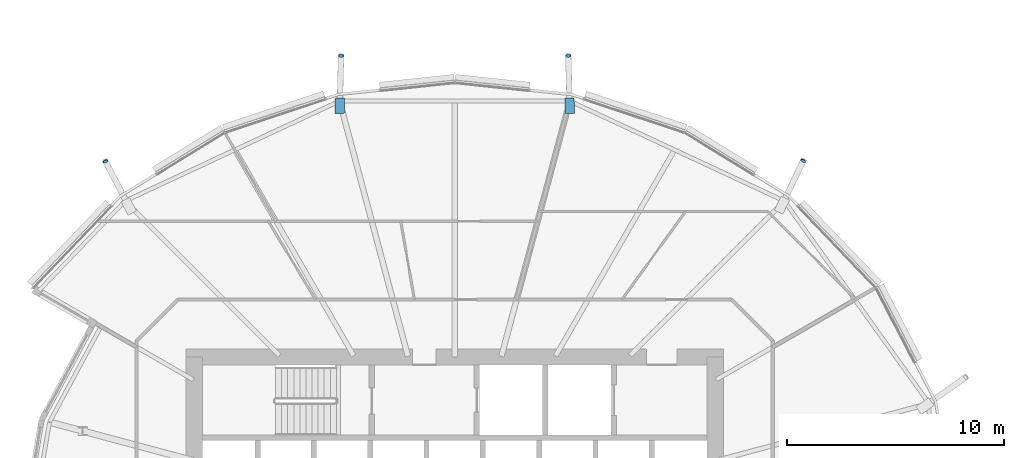
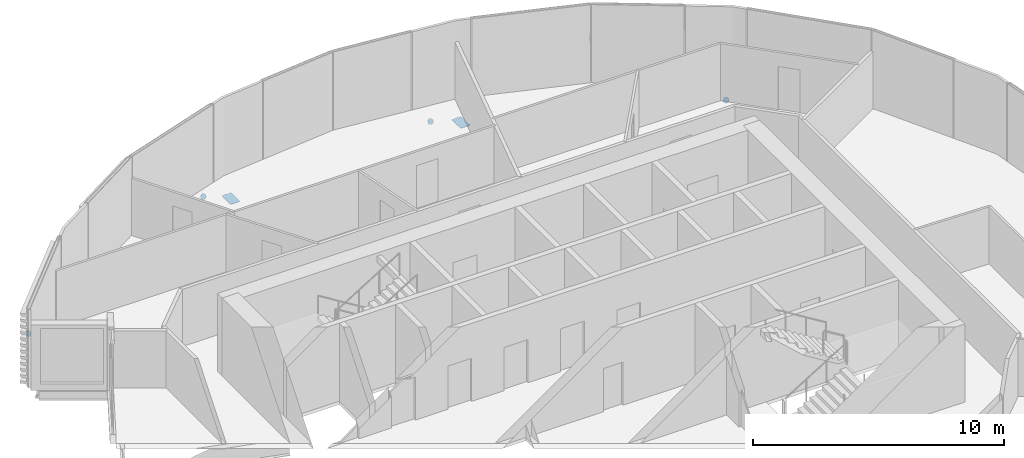
# One storey, part 29 of 38: 6 discrete accessories.
"""IFC4 building model written with IfcOpenShell, lengths in metres."""

from ifc_helpers import new_model, si_unit, direction, frame, origin, origin_2d, place, context, subcontext, project, spatial, polyline, rectangle, circle, outline, extrude, material, material_profile, profile_set, type_object, element, save


model = new_model("IFC4")

# Units and contexts
model_context = context("Model", 3, precision=1e-05, world=origin(), true_north=direction((0.0, 1.0)))
body_context = subcontext(model_context, "Body", "Model", "MODEL_VIEW")
ifc_project = project(units=[si_unit("LENGTHUNIT", "METRE"), si_unit("AREAUNIT", "SQUARE_METRE"), si_unit("VOLUMEUNIT", "CUBIC_METRE"), si_unit("PLANEANGLEUNIT", "RADIAN"), si_unit("MASSUNIT", "GRAM", prefix="KILO")], contexts=[model_context])

# Site, building, storey
site_placement = place(None, origin())
site = spatial("IfcSite", under=ifc_project, at=site_placement, CompositionType="ELEMENT")
building_placement = place(site_placement, origin())
building = spatial("IfcBuilding", under=site, at=building_placement, Name="Rimbun Link Towers", CompositionType="ELEMENT")
storey_placement = place(building_placement, frame((0.0, 0.0, 119.60009765625)))
storey = spatial("IfcBuildingStorey", under=building, at=storey_placement, Name="L29", CompositionType="ELEMENT", Elevation=119.60009765625)

# Discrete accessories
ifc_material_1 = material(Name="Steel S355J2H", Category="steel")
ifc_material_profile_1 = material_profile(ifc_material_1, circle(Radius=0.1240234375, at=origin_2d()), Name="PL D248")
ifc_profile_set_1 = profile_set([ifc_material_profile_1], Name="Steel S355J2H")
discrete_accessory_type_1 = type_object("IfcDiscreteAccessoryType", Name="Link foot sealing plate D248X20", PredefinedType="BRACKET", material=ifc_profile_set_1)
for number, where, z_axis, x_axis, name in (
    (1, (-15.702392578125, 17.03173828125, -1.994873046875), (0.37994647125, 0.784405618065, -0.490253511291), (-0.899981323824, 0.435928453727, 0.0), "Link foot sealing plate T1 L29 03"),
    (2, (-26.518310546875, 21.86572265625, -2.169677734375), (-0.024534798922, 0.870985361746, -0.490695978449), (-0.999603489279, -0.028157844768, 0.0), "Link foot sealing plate T1 L29 05"),
    (3, (-36.981689453125, 21.86572265625, -2.169677734375), (0.024534798922, 0.870985361746, -0.490695978449), (-0.999603489279, 0.028157844768, 0.0), "Link foot sealing plate T1 L29 07"),
    (4, (-47.830078125, 17.005126953125, -2.083251953125), (-0.389289794786, 0.766414283485, -0.510942855656), (-0.891578868093, -0.452865456809, 0.0), "Link foot sealing plate T1 L29 09"),
):
    element("IfcDiscreteAccessory", number, at=place(storey_placement, frame(where, z_axis=z_axis, x_axis=x_axis)), inside=storey, type_object=discrete_accessory_type_1, Name=name, PredefinedType="BRACKET", context=body_context, shape_type="SweptSolid", body=[
        extrude(circle(Radius=0.1240234375, at=origin_2d()), origin(), (0.0, 0.0, 1.0), 0.02001953125),
    ])
ifc_material_2 = material(Name="Steel S355J2H", Category="steel")
ifc_material_profile_2 = material_profile(ifc_material_2, rectangle(XDim=0.43310546875, YDim=0.43310546875, at=origin_2d()), Name="PL 433x433")
ifc_profile_set_2 = profile_set([ifc_material_profile_2], Name="Steel S355J2H")
discrete_accessory_type_2 = type_object("IfcDiscreteAccessoryType", Name="Link head end plate 433X20", PredefinedType="BRACKET", material=ifc_profile_set_2)
discrete_accessory_1_placement = place(storey_placement, frame((0.0, 0.0, -0.863525390625)))
element("IfcDiscreteAccessory", 5, at=discrete_accessory_1_placement, inside=storey, type_object=discrete_accessory_type_2, Name="Link head end plate T1 L29 05", PredefinedType="BRACKET", context=body_context, shape_type="SweptSolid", body=[
    extrude(outline(polyline([(-26.2294921875, 19.2177734375), (-26.2490234375, 19.93017578125), (-26.681884765625, 19.918212890625), (-26.662353515625, 19.2060546875), (-26.2294921875, 19.2177734375)])), origin(), (0.0, 0.0, 1.0), 0.02001953125),
])
discrete_accessory_2_placement = place(storey_placement, frame((0.0, 0.0, -0.863525390625)))
element("IfcDiscreteAccessory", 6, at=discrete_accessory_2_placement, inside=storey, type_object=discrete_accessory_type_2, Name="Link head end plate T1 L29 07", PredefinedType="BRACKET", context=body_context, shape_type="SweptSolid", body=[
    extrude(outline(polyline([(-36.837646484375, 19.2060546875), (-36.818115234375, 19.918212890625), (-37.2509765625, 19.93017578125), (-37.2705078125, 19.2177734375), (-36.837646484375, 19.2060546875)])), origin(), (0.0, 0.0, 1.0), 0.02001953125),
])

save(model, "model.ifc")
